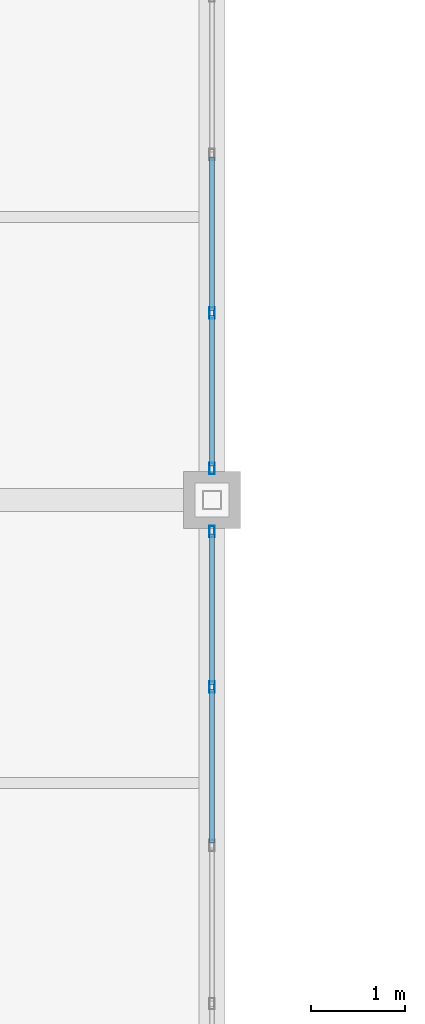
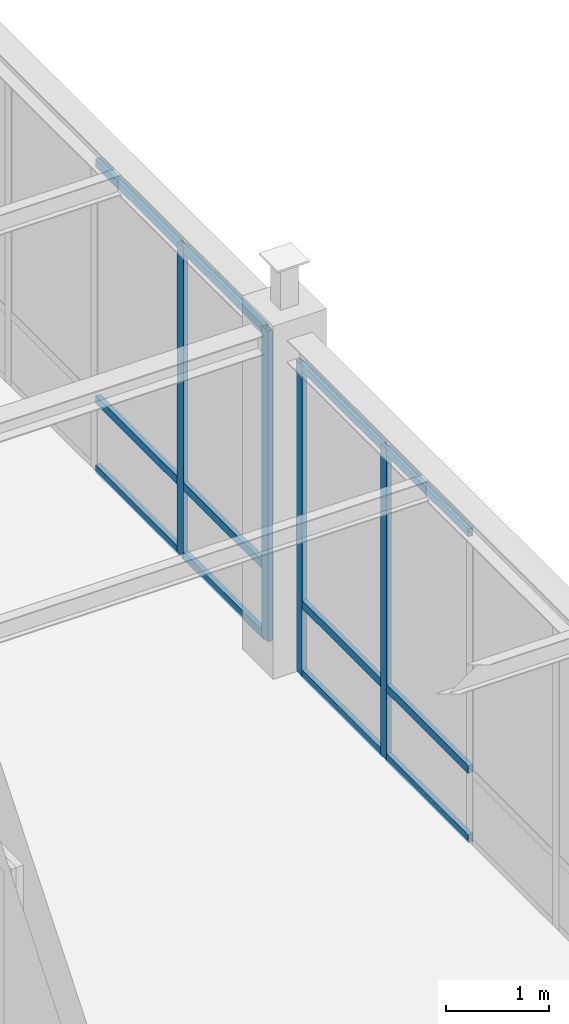
# One storey, part 46 of 97: 16 members, 2 elements without a shape of their own.
"""IFC4 building model written with IfcOpenShell, lengths in metres."""

from ifc_helpers import new_model, si_unit, direction, frame, origin, origin_2d, place, context, subcontext, project, spatial, hollow_rectangle, extrude, material, material_profile, profile_set, type_object, element, aggregate, save


model = new_model("IFC4")

# Units and contexts
model_context = context("Model", 3, precision=1e-05, world=origin(), true_north=direction((0.0, 1.0)))
body_context = subcontext(model_context, "Body", "Model", "MODEL_VIEW")
ifc_project = project(units=[si_unit("LENGTHUNIT", "METRE"), si_unit("AREAUNIT", "SQUARE_METRE"), si_unit("VOLUMEUNIT", "CUBIC_METRE"), si_unit("PLANEANGLEUNIT", "RADIAN"), si_unit("MASSUNIT", "GRAM", prefix="KILO")], contexts=[model_context])

# Site, building, storey
site_placement = place(None, origin())
site = spatial("IfcSite", under=ifc_project, at=site_placement, CompositionType="ELEMENT")
building_placement = place(site_placement, origin())
building = spatial("IfcBuilding", under=site, at=building_placement, Name="Lykobir Media Centre", CompositionType="ELEMENT")
storey_placement = place(building_placement, frame((0.0, 0.0, 23.39990234375)))
storey = spatial("IfcBuildingStorey", under=building, at=storey_placement, Name="L05", CompositionType="ELEMENT", Elevation=23.39990234375)

# Curtain wall, members
ifc_material = material(Name="Anodized Aluminium AW-6060", Category="aluminium")
curtain_wall_type = type_object("IfcCurtainWallType", Name="CW-COURT-B", PredefinedType="NOTDEFINED", material=ifc_material)
curtain_wall_1_placement = place(storey_placement, origin())
curtain_wall_1 = element("IfcCurtainWall", 1, at=curtain_wall_1_placement, inside=storey, type_object=curtain_wall_type, Name="Curtain wall CW2-L05-0181", PredefinedType="NOTDEFINED")
ifc_material_profile_1 = material_profile(ifc_material, hollow_rectangle(XDim=0.054931640625, YDim=0.1201171875, WallThickness=0.003173828125, at=origin_2d()), Name="ALU MULLION 55x120")
ifc_profile_set_1 = profile_set([ifc_material_profile_1], Name="Anodized Aluminium AW-6060")
member_type_1 = type_object("IfcMemberType", Name="CWM-120", PredefinedType="MULLION", material=ifc_profile_set_1)
member_1_placement = place(storey_placement, frame((99.0, 26.66748046875, 0.0), z_axis=(0.0, 0.0, 1.0), x_axis=(1.0, 0.0, 0.0)))
member_1 = element("IfcMember", 2, at=member_1_placement, type_object=member_type_1, Name="CW2-L05-0181 mullion 1", PredefinedType="MULLION", context=body_context, shape_type="SweptSolid", body=[
    extrude(hollow_rectangle(XDim=0.054931640625, YDim=0.1201171875, WallThickness=0.003173828125, at=origin_2d()), origin(), (0.0, 0.0, 1.0), 3.695068359375),
])
member_2_placement = place(storey_placement, frame((99.0, 25.01708984375, 0.0), z_axis=(0.0, 0.0, 1.0), x_axis=(1.0, 0.0, 0.0)))
member_2 = element("IfcMember", 3, at=member_2_placement, type_object=member_type_1, Name="CW2-L05-0181 mullion 2", PredefinedType="MULLION", context=body_context, shape_type="SweptSolid", body=[
    extrude(hollow_rectangle(XDim=0.054931640625, YDim=0.1201171875, WallThickness=0.003173828125, at=origin_2d()), origin(), (0.0, 0.0, 1.0), 3.695068359375),
])

curtain_wall_2_placement = place(storey_placement, origin())
curtain_wall_2 = element("IfcCurtainWall", 4, at=curtain_wall_2_placement, inside=storey, type_object=curtain_wall_type, Name="Curtain wall CW2-L05-0182", PredefinedType="NOTDEFINED")
member_3_placement = place(storey_placement, frame((99.0, 28.98291015625, 0.0), z_axis=(0.0, 0.0, 1.0), x_axis=(1.0, 0.0, 0.0)))
member_3 = element("IfcMember", 5, at=member_3_placement, type_object=member_type_1, Name="CW2-L05-0182 mullion 5", PredefinedType="MULLION", context=body_context, shape_type="SweptSolid", body=[
    extrude(hollow_rectangle(XDim=0.054931640625, YDim=0.1201171875, WallThickness=0.003173828125, at=origin_2d()), origin(), (0.0, 0.0, 1.0), 3.695068359375),
])
member_4_placement = place(storey_placement, frame((99.0, 27.33251953125, 0.0), z_axis=(0.0, 0.0, 1.0), x_axis=(1.0, 0.0, 0.0)))
member_4 = element("IfcMember", 6, at=member_4_placement, type_object=member_type_1, Name="CW2-L05-0182 mullion 6", PredefinedType="MULLION", context=body_context, shape_type="SweptSolid", body=[
    extrude(hollow_rectangle(XDim=0.054931640625, YDim=0.1201171875, WallThickness=0.003173828125, at=origin_2d()), origin(), (0.0, 0.0, 1.0), 3.695068359375),
])

# Member
ifc_material_profile_2 = material_profile(ifc_material, hollow_rectangle(XDim=0.054931640625, YDim=0.094970703125, WallThickness=0.0029296875, at=origin_2d()), Name="ALU TRANSOM 55x95")
ifc_profile_set_2 = profile_set([ifc_material_profile_2], Name="Anodized Aluminium AW-6060")
member_type_2 = type_object("IfcMemberType", Name="CWT-095", PredefinedType="USERDEFINED", material=ifc_profile_set_2)
member_5_placement = place(storey_placement, frame((99.0, 26.639892578125, 0.027587890625), z_axis=(0.0, -1.0, 0.0), x_axis=(1.0, 0.0, 0.0)))
member_5 = element("IfcMember", 7, at=member_5_placement, type_object=member_type_2, Name="CW2-L05-0181 transom 1.1", ObjectType="TRANSOM", PredefinedType="USERDEFINED", context=body_context, shape_type="SweptSolid", body=[
    extrude(hollow_rectangle(XDim=0.054931640625, YDim=0.094970703125, WallThickness=0.0029296875, at=origin_2d()), origin(), (0.0, 0.0, 1.0), 1.595458984375),
])

member_6_placement = place(storey_placement, frame((99.0, 26.639892578125, 0.85009765625), z_axis=(0.0, -1.0, 0.0), x_axis=(1.0, 0.0, 0.0)))
member_6 = element("IfcMember", 8, at=member_6_placement, type_object=member_type_2, Name="CW2-L05-0181 transom 1.2", ObjectType="TRANSOM", PredefinedType="USERDEFINED", context=body_context, shape_type="SweptSolid", body=[
    extrude(hollow_rectangle(XDim=0.054931640625, YDim=0.094970703125, WallThickness=0.0029296875, at=origin_2d()), origin(), (0.0, 0.0, 1.0), 1.595458984375),
])

member_7_placement = place(storey_placement, frame((99.0, 26.639892578125, 3.66748046875), z_axis=(0.0, -1.0, 0.0), x_axis=(1.0, 0.0, 0.0)))
member_7 = element("IfcMember", 9, at=member_7_placement, type_object=member_type_2, Name="CW2-L05-0181 transom 1.3", ObjectType="TRANSOM", PredefinedType="USERDEFINED", context=body_context, shape_type="SweptSolid", body=[
    extrude(hollow_rectangle(XDim=0.054931640625, YDim=0.094970703125, WallThickness=0.0029296875, at=origin_2d()), origin(), (0.0, 0.0, 1.0), 1.595458984375),
])

member_8_placement = place(storey_placement, frame((99.0, 24.989501953125, 0.027587890625), z_axis=(0.0, -1.0, 0.0), x_axis=(1.0, 0.0, 0.0)))
member_8 = element("IfcMember", 10, at=member_8_placement, type_object=member_type_2, Name="CW2-L05-0181 transom 2.1", ObjectType="TRANSOM", PredefinedType="USERDEFINED", context=body_context, shape_type="SweptSolid", body=[
    extrude(hollow_rectangle(XDim=0.054931640625, YDim=0.094970703125, WallThickness=0.0029296875, at=origin_2d()), origin(), (0.0, 0.0, 1.0), 1.623046875),
])

member_9_placement = place(storey_placement, frame((99.0, 24.989501953125, 0.85009765625), z_axis=(0.0, -1.0, 0.0), x_axis=(1.0, 0.0, 0.0)))
member_9 = element("IfcMember", 11, at=member_9_placement, type_object=member_type_2, Name="CW2-L05-0181 transom 2.2", ObjectType="TRANSOM", PredefinedType="USERDEFINED", context=body_context, shape_type="SweptSolid", body=[
    extrude(hollow_rectangle(XDim=0.054931640625, YDim=0.094970703125, WallThickness=0.0029296875, at=origin_2d()), origin(), (0.0, 0.0, 1.0), 1.623046875),
])

member_10_placement = place(storey_placement, frame((99.0, 24.989501953125, 3.66748046875), z_axis=(0.0, -1.0, 0.0), x_axis=(1.0, 0.0, 0.0)))
member_10 = element("IfcMember", 12, at=member_10_placement, type_object=member_type_2, Name="CW2-L05-0181 transom 2.3", ObjectType="TRANSOM", PredefinedType="USERDEFINED", context=body_context, shape_type="SweptSolid", body=[
    extrude(hollow_rectangle(XDim=0.054931640625, YDim=0.094970703125, WallThickness=0.0029296875, at=origin_2d()), origin(), (0.0, 0.0, 1.0), 1.623046875),
])

aggregate(curtain_wall_1, [member_1, member_2, member_5, member_6, member_7, member_8, member_9, member_10])

member_11_placement = place(storey_placement, frame((99.0, 30.633544921875, 0.027587890625), z_axis=(0.0, -1.0, 0.0), x_axis=(1.0, 0.0, 0.0)))
member_11 = element("IfcMember", 13, at=member_11_placement, type_object=member_type_2, Name="CW2-L05-0182 transom 4.1", ObjectType="TRANSOM", PredefinedType="USERDEFINED", context=body_context, shape_type="SweptSolid", body=[
    extrude(hollow_rectangle(XDim=0.054931640625, YDim=0.094970703125, WallThickness=0.0029296875, at=origin_2d()), origin(), (0.0, 0.0, 1.0), 1.623046875),
])

member_12_placement = place(storey_placement, frame((99.0, 30.633544921875, 0.85009765625), z_axis=(0.0, -1.0, 0.0), x_axis=(1.0, 0.0, 0.0)))
member_12 = element("IfcMember", 14, at=member_12_placement, type_object=member_type_2, Name="CW2-L05-0182 transom 4.2", ObjectType="TRANSOM", PredefinedType="USERDEFINED", context=body_context, shape_type="SweptSolid", body=[
    extrude(hollow_rectangle(XDim=0.054931640625, YDim=0.094970703125, WallThickness=0.0029296875, at=origin_2d()), origin(), (0.0, 0.0, 1.0), 1.623046875),
])

member_13_placement = place(storey_placement, frame((99.0, 30.633544921875, 3.66748046875), z_axis=(0.0, -1.0, 0.0), x_axis=(1.0, 0.0, 0.0)))
member_13 = element("IfcMember", 15, at=member_13_placement, type_object=member_type_2, Name="CW2-L05-0182 transom 4.3", ObjectType="TRANSOM", PredefinedType="USERDEFINED", context=body_context, shape_type="SweptSolid", body=[
    extrude(hollow_rectangle(XDim=0.054931640625, YDim=0.094970703125, WallThickness=0.0029296875, at=origin_2d()), origin(), (0.0, 0.0, 1.0), 1.623046875),
])

member_14_placement = place(storey_placement, frame((99.0, 28.95556640625, 0.027587890625), z_axis=(0.0, -1.0, 0.0), x_axis=(1.0, 0.0, 0.0)))
member_14 = element("IfcMember", 16, at=member_14_placement, type_object=member_type_2, Name="CW2-L05-0182 transom 5.1", ObjectType="TRANSOM", PredefinedType="USERDEFINED", context=body_context, shape_type="SweptSolid", body=[
    extrude(hollow_rectangle(XDim=0.054931640625, YDim=0.094970703125, WallThickness=0.0029296875, at=origin_2d()), origin(), (0.0, 0.0, 1.0), 1.595458984375),
])

member_15_placement = place(storey_placement, frame((99.0, 28.95556640625, 0.85009765625), z_axis=(0.0, -1.0, 0.0), x_axis=(1.0, 0.0, 0.0)))
member_15 = element("IfcMember", 17, at=member_15_placement, type_object=member_type_2, Name="CW2-L05-0182 transom 5.2", ObjectType="TRANSOM", PredefinedType="USERDEFINED", context=body_context, shape_type="SweptSolid", body=[
    extrude(hollow_rectangle(XDim=0.054931640625, YDim=0.094970703125, WallThickness=0.0029296875, at=origin_2d()), origin(), (0.0, 0.0, 1.0), 1.595458984375),
])

member_16_placement = place(storey_placement, frame((99.0, 28.95556640625, 3.66748046875), z_axis=(0.0, -1.0, 0.0), x_axis=(1.0, 0.0, 0.0)))
member_16 = element("IfcMember", 18, at=member_16_placement, type_object=member_type_2, Name="CW2-L05-0182 transom 5.3", ObjectType="TRANSOM", PredefinedType="USERDEFINED", context=body_context, shape_type="SweptSolid", body=[
    extrude(hollow_rectangle(XDim=0.054931640625, YDim=0.094970703125, WallThickness=0.0029296875, at=origin_2d()), origin(), (0.0, 0.0, 1.0), 1.595458984375),
])

aggregate(curtain_wall_2, [member_3, member_4, member_11, member_12, member_13, member_14, member_15, member_16])

save(model, "model.ifc")
